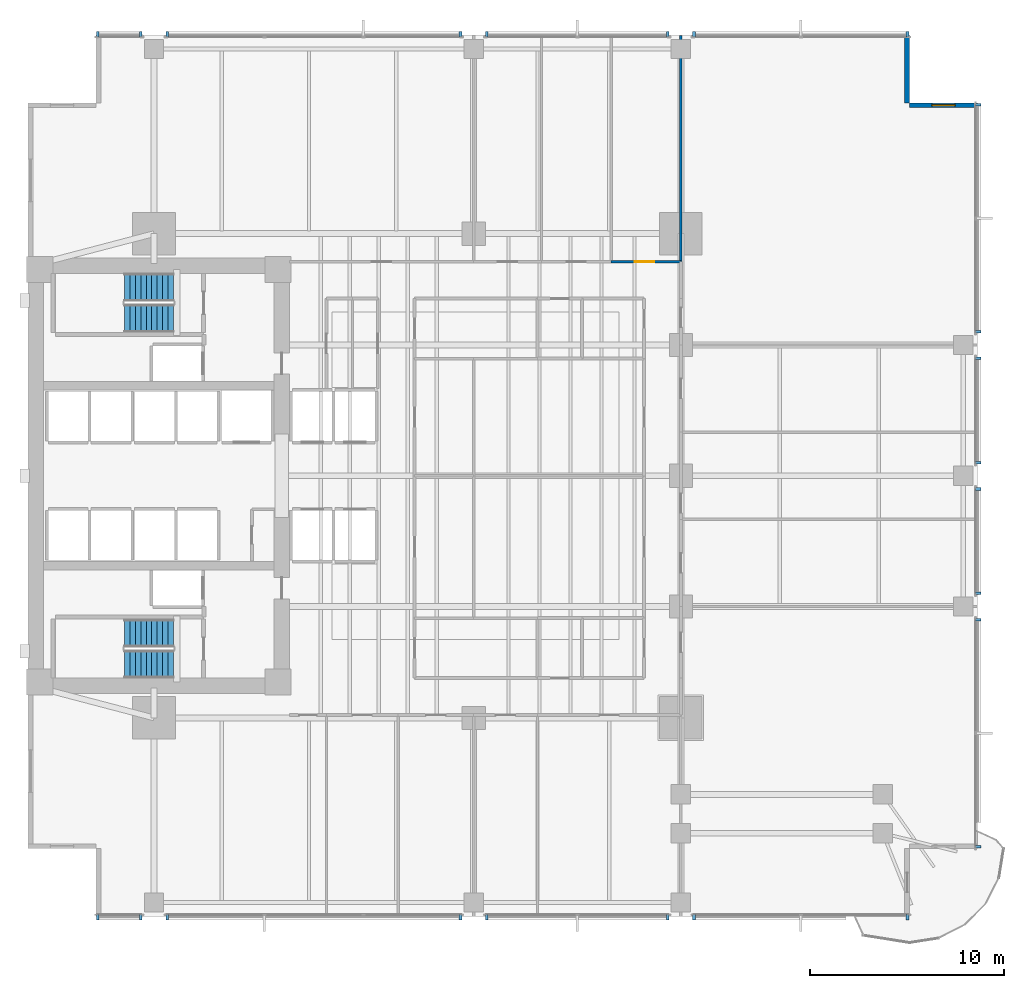
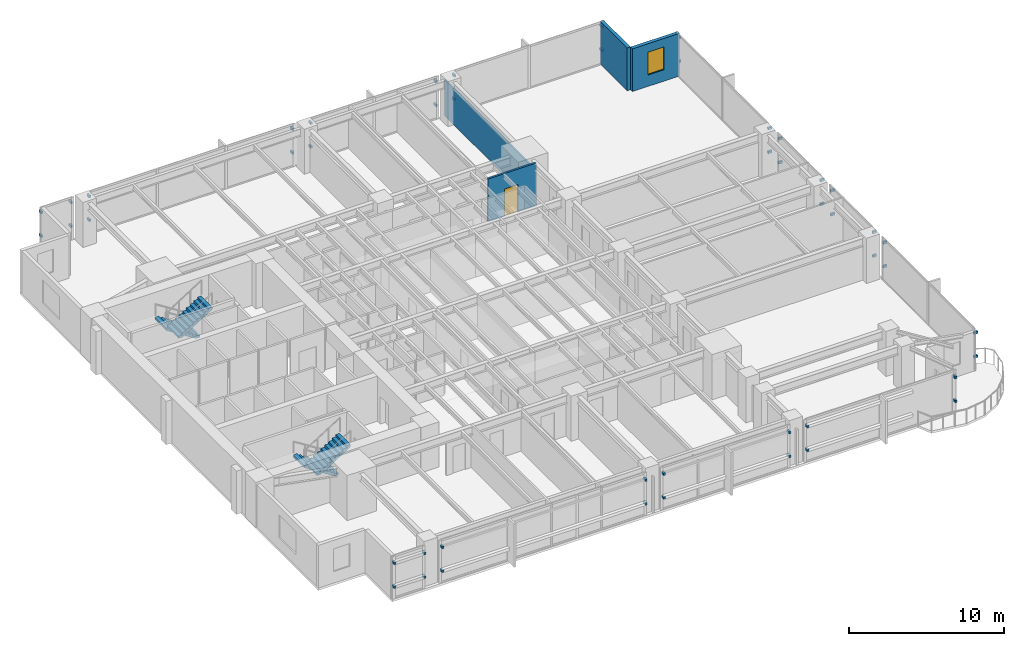
# One storey, part 11 of 15: 48 discrete accessories, 4 stair flights, 4 walls, 1 door, 1 window, 2 openings, 2 elements without a shape of their own.
"""IFC4 building model written with IfcOpenShell, lengths in metres."""

from ifc_helpers import new_model, si_unit, direction, frame, frame_2d, origin, origin_2d, place, context, subcontext, project, spatial, polyline, rectangle, outline, extrude, material, layer, layer_set, type_object, element, fill, aggregate, save


model = new_model("IFC4")

# Units and contexts
model_context = context("Model", 3, precision=1e-05, world=origin(), true_north=direction((0.0, 1.0)))
body_context = subcontext(model_context, "Body", "Model", "MODEL_VIEW")
ifc_project = project(units=[si_unit("LENGTHUNIT", "METRE"), si_unit("AREAUNIT", "SQUARE_METRE"), si_unit("VOLUMEUNIT", "CUBIC_METRE"), si_unit("PLANEANGLEUNIT", "RADIAN"), si_unit("MASSUNIT", "GRAM", prefix="KILO")], contexts=[model_context])

# Site, building, storey
site_placement = place(None, origin())
site = spatial("IfcSite", under=ifc_project, at=site_placement, CompositionType="ELEMENT")
building_placement = place(site_placement, origin())
building = spatial("IfcBuilding", under=site, at=building_placement, Name="Kinhvarn Gate Tower", CompositionType="ELEMENT")
storey_placement = place(building_placement, frame((0.0, 0.0, 78.85009765625)))
storey = spatial("IfcBuildingStorey", under=building, at=storey_placement, Name="L20", CompositionType="ELEMENT", Elevation=78.85009765625)

# Wall, opening, window
ifc_material_1 = material(Name="Fired architectural terracotta", Category="masonry")
ifc_layer_1 = layer(ifc_material_1, 0.25)
ifc_layer_set_1 = layer_set([ifc_layer_1], Name="Fired architectural terracotta")
wall_type_1 = type_object("IfcWallType", Name="WL-EXT-250", PredefinedType="SOLIDWALL", material=ifc_layer_set_1)
wall_1_placement = place(storey_placement, frame((53.5, 44.375, 0.0), z_axis=(0.0, 0.0, 1.0), x_axis=(-1.0, 0.0, 0.0)))
wall_1 = element("IfcWall", 1, at=wall_1_placement, inside=storey, type_object=wall_type_1, Name="Exterior Solidwall Wall EW-250 (L20 NE-Notch-1)", PredefinedType="SOLIDWALL", context=body_context, shape_type="SweptSolid", body=[
    extrude(rectangle(XDim=3.5, YDim=0.25, at=frame_2d((1.75, 0.0))), origin(), (0.0, 0.0, 1.0), 3.369873046875),
])
opening_1_placement = place(wall_1_placement, frame((1.14990234375, 0.0, 0.89990234375)))
opening_1 = element("IfcOpeningElement", 2, at=opening_1_placement, cuts=wall_1, Name="Opening WN-02", PredefinedType="OPENING", context=body_context, shape_type="SweptSolid", body=[
    extrude(rectangle(XDim=1.199951171875, YDim=1.800048828125, at=frame_2d((0.60009765625, 0.89990234375))), frame((0.0, 0.135009765625, 0.0), z_axis=(0.0, -1.0, 0.0), x_axis=(1.0, 0.0, 0.0)), (0.0, 0.0, 1.0), 0.27001953125),
])
ifc_material_2 = material(Name="Clear low-e double glazing", Category="glass")
window_type = type_object("IfcWindowType", Name="WIN-NTC-1200", PartitioningType="SINGLE_PANEL", PredefinedType="WINDOW", material=ifc_material_2)
window_placement = place(opening_1_placement, origin())
window = element("IfcWindow", 3, at=window_placement, inside=storey, type_object=window_type, Name="Recessed Corner Notch Punched Window 1200x1800 mm (L20)", OverallHeight=1.800048828125, OverallWidth=1.199951171875, PartitioningType="SINGLE_PANEL", PredefinedType="WINDOW", context=body_context, shape_type="SweptSolid", body=[
    extrude(rectangle(XDim=1.199951171875, YDim=1.800048828125, at=frame_2d((0.60009765625, 0.89990234375))), frame((0.0, 0.030029296875, 0.0), z_axis=(0.0, -1.0, 0.0), x_axis=(1.0, 0.0, 0.0)), (0.0, 0.0, 1.0), 0.06005859375),
])
fill(opening_1, window)

# Walls
wall_2_placement = place(storey_placement, frame((49.875, 44.5, 0.0), z_axis=(0.0, 0.0, 1.0), x_axis=(0.0, 1.0, 0.0)))
element("IfcWall", 4, at=wall_2_placement, inside=storey, type_object=wall_type_1, Name="Exterior Solidwall Wall EW-250 (L20 NE-Notch-2)", PredefinedType="SOLIDWALL", context=body_context, shape_type="SweptSolid", body=[
    extrude(rectangle(XDim=3.5, YDim=0.25, at=frame_2d((1.75, 0.0))), origin(), (0.0, 0.0, 1.0), 3.369873046875),
])
ifc_material_3 = material(Name="Gypsum acoustic partition board")
ifc_layer_2 = layer(ifc_material_3, 0.1201171875)
ifc_layer_set_2 = layer_set([ifc_layer_2], Name="Gypsum acoustic partition board")
wall_type_2 = type_object("IfcWallType", Name="WL-PRT-120", PredefinedType="PARTITIONING", material=ifc_layer_set_2)
wall_3_placement = place(storey_placement, frame((38.199951171875, 36.300048828125, 0.0), z_axis=(0.0, 0.0, 1.0), x_axis=(0.0, 1.0, 0.0)))
element("IfcWall", 5, at=wall_3_placement, inside=storey, type_object=wall_type_2, Name="Interior Partition PW-120 (L20)", PredefinedType="PARTITIONING", context=body_context, shape_type="SweptSolid", body=[
    extrude(rectangle(XDim=11.68994140625, YDim=0.1201171875, at=frame_2d((5.844970703125, 0.0))), origin(), (0.0, 0.0, 1.0), 2.81982421875),
])

# Wall, opening, door
ifc_layer_3 = layer(ifc_material_3, 0.14990234375)
ifc_layer_set_3 = layer_set([ifc_layer_3], Name="Gypsum acoustic partition board")
wall_type_3 = type_object("IfcWallType", Name="WL-PRT-150F", PredefinedType="PARTITIONING", material=ifc_layer_set_3)
wall_4_placement = place(storey_placement, frame((34.60009765625, 36.300048828125, 0.0), z_axis=(0.0, 0.0, 1.0), x_axis=(1.0, 0.0, 0.0)))
wall_4 = element("IfcWall", 6, at=wall_4_placement, inside=storey, type_object=wall_type_3, Name="Interior Partition PW-150F (L20)", PredefinedType="PARTITIONING", context=body_context, shape_type="SweptSolid", body=[
    extrude(rectangle(XDim=3.599853515625, YDim=0.14990234375, at=frame_2d((1.7998046875, 0.0))), origin(), (0.0, 0.0, 1.0), 3.369873046875),
])
opening_2_placement = place(wall_4_placement, frame((1.22509765625, 0.0, 0.0)))
opening_2 = element("IfcOpeningElement", 7, at=opening_2_placement, cuts=wall_4, Name="Opening ID-02", PredefinedType="OPENING", context=body_context, shape_type="SweptSolid", body=[
    extrude(rectangle(XDim=1.0, YDim=2.14990234375, at=frame_2d((0.5, 1.074951171875))), frame((0.0, 0.0849609375, 0.0), z_axis=(0.0, -1.0, 0.0), x_axis=(1.0, 0.0, 0.0)), (0.0, 0.0, 1.0), 0.169921875),
])
ifc_material_4 = material(Name="Anodised aluminium AW-6063", Category="aluminium")
door_type = type_object("IfcDoorType", Name="DR-INT-1000", OperationType="NOTDEFINED", PredefinedType="DOOR", material=ifc_material_4)
door_placement = place(opening_2_placement, origin())
door = element("IfcDoor", 8, at=door_placement, inside=storey, type_object=door_type, Name="Standard Office & Meeting Room Door 1000x2150 mm (L20)", OperationType="SINGLE_SWING_LEFT", OverallHeight=2.14990234375, OverallWidth=1.0, PredefinedType="DOOR", context=body_context, shape_type="SweptSolid", body=[
    extrude(rectangle(XDim=1.0, YDim=2.14990234375, at=frame_2d((0.5, 1.074951171875))), frame((0.0, 0.02490234375, 0.0), z_axis=(0.0, -1.0, 0.0), x_axis=(1.0, 0.0, 0.0)), (0.0, 0.0, 1.0), 0.050048828125),
])
fill(opening_2, door)

# Stair, stair flights
ifc_material_5 = material(Name="Concrete C40/50", Category="concrete")
stair_type = type_object("IfcStairType", Name="STR-DLG-178", PredefinedType="HALF_TURN_STAIR", material=ifc_material_5)
stair_1_placement = place(storey_placement, origin())
stair_1 = element("IfcStair", 9, at=stair_1_placement, inside=storey, type_object=stair_type, Name="L20 Core Smokeproof Exit Stair ST1", PredefinedType="HALF_TURN_STAIR")
stair_flight_type = type_object("IfcStairFlightType", Name="STF-DLG-178", PredefinedType="STRAIGHT", material=ifc_material_5)
stair_flight_1_placement = place(storey_placement, frame((12.0, 17.125, 0.0), z_axis=(0.0, 0.0, 1.0), x_axis=(-1.0, 0.0, 0.0)))
stair_flight_1 = element("IfcStairFlight", 10, at=stair_flight_1_placement, type_object=stair_flight_type, Name="ST1 flight 1", NumberOfRisers=10, NumberOfTreads=9, PredefinedType="STRAIGHT", RiserHeight=0.1775, TreadLength=0.28, context=body_context, shape_type="SweptSolid", body=[
    extrude(outline(polyline([(0.0, 0.0), (0.0, 0.177490234375), (0.280029296875, 0.177490234375), (0.280029296875, 0.35498046875), (0.56005859375, 0.35498046875), (0.56005859375, 0.532470703125), (0.840087890625, 0.532470703125), (0.840087890625, 0.7099609375), (1.1201171875, 0.7099609375), (1.1201171875, 0.887451171875), (1.39990234375, 0.887451171875), (1.39990234375, 1.06494140625), (1.679931640625, 1.06494140625), (1.679931640625, 1.242431640625), (1.9599609375, 1.242431640625), (1.9599609375, 1.419921875), (2.239990234375, 1.419921875), (2.239990234375, 1.597412109375), (2.52001953125, 1.597412109375), (2.52001953125, 1.77490234375), (2.52001953125, 1.419921875), (0.280029296875, 0.0), (0.0, 0.0)])), frame((0.0, 0.72509765625, 0.0), z_axis=(0.0, -1.0, 0.0), x_axis=(1.0, 0.0, 0.0)), (0.0, 0.0, 1.0), 1.449951171875),
])
stair_flight_2_placement = place(storey_placement, frame((9.47998046875, 15.52490234375, 1.77490234375), z_axis=(0.0, 0.0, 1.0), x_axis=(1.0, 0.0, 0.0)))
stair_flight_2 = element("IfcStairFlight", 11, at=stair_flight_2_placement, type_object=stair_flight_type, Name="ST1 flight 2", NumberOfRisers=10, NumberOfTreads=9, PredefinedType="STRAIGHT", RiserHeight=0.1775, TreadLength=0.28, context=body_context, shape_type="SweptSolid", body=[
    extrude(outline(polyline([(0.0, 0.0), (0.0, 0.177490234375), (0.280029296875, 0.177490234375), (0.280029296875, 0.35498046875), (0.56005859375, 0.35498046875), (0.56005859375, 0.532470703125), (0.840087890625, 0.532470703125), (0.840087890625, 0.7099609375), (1.1201171875, 0.7099609375), (1.1201171875, 0.887451171875), (1.39990234375, 0.887451171875), (1.39990234375, 1.06494140625), (1.679931640625, 1.06494140625), (1.679931640625, 1.242431640625), (1.9599609375, 1.242431640625), (1.9599609375, 1.419921875), (2.239990234375, 1.419921875), (2.239990234375, 1.597412109375), (2.52001953125, 1.597412109375), (2.52001953125, 1.77490234375), (2.52001953125, 1.419921875), (0.280029296875, 0.0), (0.0, 0.0)])), frame((0.0, 0.72509765625, 0.0), z_axis=(0.0, -1.0, 0.0), x_axis=(1.0, 0.0, 0.0)), (0.0, 0.0, 1.0), 1.449951171875),
])
aggregate(stair_1, [stair_flight_1, stair_flight_2])

stair_2_placement = place(storey_placement, origin())
stair_2 = element("IfcStair", 12, at=stair_2_placement, inside=storey, type_object=stair_type, Name="L20 Core Smokeproof Exit Stair ST2", PredefinedType="HALF_TURN_STAIR")
stair_flight_3_placement = place(storey_placement, frame((12.0, 34.97509765625, 0.0), z_axis=(0.0, 0.0, 1.0), x_axis=(-1.0, 0.0, 0.0)))
stair_flight_3 = element("IfcStairFlight", 13, at=stair_flight_3_placement, type_object=stair_flight_type, Name="ST2 flight 1", NumberOfRisers=10, NumberOfTreads=9, PredefinedType="STRAIGHT", RiserHeight=0.1775, TreadLength=0.28, context=body_context, shape_type="SweptSolid", body=[
    extrude(outline(polyline([(0.0, 0.0), (0.0, 0.177490234375), (0.280029296875, 0.177490234375), (0.280029296875, 0.35498046875), (0.56005859375, 0.35498046875), (0.56005859375, 0.532470703125), (0.840087890625, 0.532470703125), (0.840087890625, 0.7099609375), (1.1201171875, 0.7099609375), (1.1201171875, 0.887451171875), (1.39990234375, 0.887451171875), (1.39990234375, 1.06494140625), (1.679931640625, 1.06494140625), (1.679931640625, 1.242431640625), (1.9599609375, 1.242431640625), (1.9599609375, 1.419921875), (2.239990234375, 1.419921875), (2.239990234375, 1.597412109375), (2.52001953125, 1.597412109375), (2.52001953125, 1.77490234375), (2.52001953125, 1.419921875), (0.280029296875, 0.0), (0.0, 0.0)])), frame((0.0, 0.72509765625, 0.0), z_axis=(0.0, -1.0, 0.0), x_axis=(1.0, 0.0, 0.0)), (0.0, 0.0, 1.0), 1.449951171875),
])
stair_flight_4_placement = place(storey_placement, frame((9.47998046875, 33.375, 1.77490234375), z_axis=(0.0, 0.0, 1.0), x_axis=(1.0, 0.0, 0.0)))
stair_flight_4 = element("IfcStairFlight", 14, at=stair_flight_4_placement, type_object=stair_flight_type, Name="ST2 flight 2", NumberOfRisers=10, NumberOfTreads=9, PredefinedType="STRAIGHT", RiserHeight=0.1775, TreadLength=0.28, context=body_context, shape_type="SweptSolid", body=[
    extrude(outline(polyline([(0.0, 0.0), (0.0, 0.177490234375), (0.280029296875, 0.177490234375), (0.280029296875, 0.35498046875), (0.56005859375, 0.35498046875), (0.56005859375, 0.532470703125), (0.840087890625, 0.532470703125), (0.840087890625, 0.7099609375), (1.1201171875, 0.7099609375), (1.1201171875, 0.887451171875), (1.39990234375, 0.887451171875), (1.39990234375, 1.06494140625), (1.679931640625, 1.06494140625), (1.679931640625, 1.242431640625), (1.9599609375, 1.242431640625), (1.9599609375, 1.419921875), (2.239990234375, 1.419921875), (2.239990234375, 1.597412109375), (2.52001953125, 1.597412109375), (2.52001953125, 1.77490234375), (2.52001953125, 1.419921875), (0.280029296875, 0.0), (0.0, 0.0)])), frame((0.0, 0.72509765625, 0.0), z_axis=(0.0, -1.0, 0.0), x_axis=(1.0, 0.0, 0.0)), (0.0, 0.0, 1.0), 1.449951171875),
])
aggregate(stair_2, [stair_flight_3, stair_flight_4])

# Discrete accessories
discrete_accessory_type = type_object("IfcDiscreteAccessoryType", Name="ACC-BRK-01", PredefinedType="BRACKET", material=ifc_material_4)
for number, where, z_axis, x_axis, name in (
    (15, (8.10009765625, 2.4599609375, 0.9599609375), (0.0, 0.0, 1.0), (1.0, 0.0, 0.0), "Baguette Support Bracket BK-01 (L20)"),
    (16, (8.10009765625, 2.4599609375, 2.830078125), (0.0, 0.0, 1.0), (1.0, 0.0, 0.0), "Baguette Support Bracket BK-01 (L20)"),
    (17, (10.320068359375, 2.4599609375, 0.9599609375), (0.0, 0.0, 1.0), (1.0, 0.0, 0.0), "Baguette Support Bracket BK-01 (L20)"),
    (18, (10.320068359375, 2.4599609375, 2.830078125), (0.0, 0.0, 1.0), (1.0, 0.0, 0.0), "Baguette Support Bracket BK-01 (L20)"),
    (19, (11.679931640625, 2.4599609375, 0.9599609375), (0.0, 0.0, 1.0), (1.0, 0.0, 0.0), "Baguette Support Bracket BK-01 (L20)"),
    (20, (11.679931640625, 2.4599609375, 2.830078125), (0.0, 0.0, 1.0), (1.0, 0.0, 0.0), "Baguette Support Bracket BK-01 (L20)"),
    (21, (26.820068359375, 2.4599609375, 0.9599609375), (0.0, 0.0, 1.0), (1.0, 0.0, 0.0), "Baguette Support Bracket BK-01 (L20)"),
    (22, (26.820068359375, 2.4599609375, 2.830078125), (0.0, 0.0, 1.0), (1.0, 0.0, 0.0), "Baguette Support Bracket BK-01 (L20)"),
    (23, (28.179931640625, 2.4599609375, 0.9599609375), (0.0, 0.0, 1.0), (1.0, 0.0, 0.0), "Baguette Support Bracket BK-01 (L20)"),
    (24, (28.179931640625, 2.4599609375, 2.830078125), (0.0, 0.0, 1.0), (1.0, 0.0, 0.0), "Baguette Support Bracket BK-01 (L20)"),
    (25, (37.52001953125, 2.4599609375, 0.9599609375), (0.0, 0.0, 1.0), (1.0, 0.0, 0.0), "Baguette Support Bracket BK-01 (L20)"),
    (26, (37.52001953125, 2.4599609375, 2.830078125), (0.0, 0.0, 1.0), (1.0, 0.0, 0.0), "Baguette Support Bracket BK-01 (L20)"),
    (27, (38.8798828125, 2.4599609375, 0.9599609375), (0.0, 0.0, 1.0), (1.0, 0.0, 0.0), "Baguette Support Bracket BK-01 (L20)"),
    (28, (38.8798828125, 2.4599609375, 2.830078125), (0.0, 0.0, 1.0), (1.0, 0.0, 0.0), "Baguette Support Bracket BK-01 (L20)"),
    (29, (49.89990234375, 2.4599609375, 0.9599609375), (0.0, 0.0, 1.0), (1.0, 0.0, 0.0), "Baguette Support Bracket BK-01 (L20)"),
    (30, (49.89990234375, 2.4599609375, 2.830078125), (0.0, 0.0, 1.0), (1.0, 0.0, 0.0), "Baguette Support Bracket BK-01 (L20)"),
    (31, (49.89990234375, 48.0400390625, 0.9599609375), (0.0, 0.0, 1.0), (-1.0, 0.0, 0.0), "Baguette Support Bracket BK-01 (L20)"),
    (32, (49.89990234375, 48.0400390625, 2.830078125), (0.0, 0.0, 1.0), (-1.0, 0.0, 0.0), "Baguette Support Bracket BK-01 (L20)"),
    (33, (38.8798828125, 48.0400390625, 0.9599609375), (0.0, 0.0, 1.0), (-1.0, 0.0, 0.0), "Baguette Support Bracket BK-01 (L20)"),
    (34, (38.8798828125, 48.0400390625, 2.830078125), (0.0, 0.0, 1.0), (-1.0, 0.0, 0.0), "Baguette Support Bracket BK-01 (L20)"),
    (35, (37.52001953125, 48.0400390625, 0.9599609375), (0.0, 0.0, 1.0), (-1.0, 0.0, 0.0), "Baguette Support Bracket BK-01 (L20)"),
    (36, (37.52001953125, 48.0400390625, 2.830078125), (0.0, 0.0, 1.0), (-1.0, 0.0, 0.0), "Baguette Support Bracket BK-01 (L20)"),
    (37, (28.179931640625, 48.0400390625, 0.9599609375), (0.0, 0.0, 1.0), (-1.0, 0.0, 0.0), "Baguette Support Bracket BK-01 (L20)"),
    (38, (28.179931640625, 48.0400390625, 2.830078125), (0.0, 0.0, 1.0), (-1.0, 0.0, 0.0), "Baguette Support Bracket BK-01 (L20)"),
    (39, (26.820068359375, 48.0400390625, 0.9599609375), (0.0, 0.0, 1.0), (-1.0, 0.0, 0.0), "Baguette Support Bracket BK-01 (L20)"),
    (40, (26.820068359375, 48.0400390625, 2.830078125), (0.0, 0.0, 1.0), (-1.0, 0.0, 0.0), "Baguette Support Bracket BK-01 (L20)"),
    (41, (11.679931640625, 48.0400390625, 0.9599609375), (0.0, 0.0, 1.0), (-1.0, 0.0, 0.0), "Baguette Support Bracket BK-01 (L20)"),
    (42, (11.679931640625, 48.0400390625, 2.830078125), (0.0, 0.0, 1.0), (-1.0, 0.0, 0.0), "Baguette Support Bracket BK-01 (L20)"),
    (43, (10.320068359375, 48.0400390625, 0.9599609375), (0.0, 0.0, 1.0), (-1.0, 0.0, 0.0), "Baguette Support Bracket BK-01 (L20)"),
    (44, (10.320068359375, 48.0400390625, 2.830078125), (0.0, 0.0, 1.0), (-1.0, 0.0, 0.0), "Baguette Support Bracket BK-01 (L20)"),
    (45, (8.10009765625, 48.0400390625, 0.9599609375), (0.0, 0.0, 1.0), (-1.0, 0.0, 0.0), "Baguette Support Bracket BK-01 (L20)"),
    (46, (8.10009765625, 48.0400390625, 2.830078125), (0.0, 0.0, 1.0), (-1.0, 0.0, 0.0), "Baguette Support Bracket BK-01 (L20)"),
    (47, (53.5400390625, 6.10009765625, 0.9599609375), (0.0, 0.0, 1.0), (0.0, 1.0, 0.0), "Baguette Support Bracket BK-01 (L20)"),
    (48, (53.5400390625, 6.10009765625, 2.830078125), (0.0, 0.0, 1.0), (0.0, 1.0, 0.0), "Baguette Support Bracket BK-01 (L20)"),
    (49, (53.5400390625, 17.820068359375, 0.9599609375), (0.0, 0.0, 1.0), (0.0, 1.0, 0.0), "Baguette Support Bracket BK-01 (L20)"),
    (50, (53.5400390625, 17.820068359375, 2.830078125), (0.0, 0.0, 1.0), (0.0, 1.0, 0.0), "Baguette Support Bracket BK-01 (L20)"),
    (51, (53.5400390625, 19.179931640625, 0.9599609375), (0.0, 0.0, 1.0), (0.0, 1.0, 0.0), "Baguette Support Bracket BK-01 (L20)"),
    (52, (53.5400390625, 19.179931640625, 2.830078125), (0.0, 0.0, 1.0), (0.0, 1.0, 0.0), "Baguette Support Bracket BK-01 (L20)"),
    (53, (53.5400390625, 24.570068359375, 0.9599609375), (0.0, 0.0, 1.0), (0.0, 1.0, 0.0), "Baguette Support Bracket BK-01 (L20)"),
    (54, (53.5400390625, 24.570068359375, 2.830078125), (0.0, 0.0, 1.0), (0.0, 1.0, 0.0), "Baguette Support Bracket BK-01 (L20)"),
    (55, (53.5400390625, 25.929931640625, 0.9599609375), (0.0, 0.0, 1.0), (0.0, 1.0, 0.0), "Baguette Support Bracket BK-01 (L20)"),
    (56, (53.5400390625, 25.929931640625, 2.830078125), (0.0, 0.0, 1.0), (0.0, 1.0, 0.0), "Baguette Support Bracket BK-01 (L20)"),
    (57, (53.5400390625, 31.320068359375, 0.9599609375), (0.0, 0.0, 1.0), (0.0, 1.0, 0.0), "Baguette Support Bracket BK-01 (L20)"),
    (58, (53.5400390625, 31.320068359375, 2.830078125), (0.0, 0.0, 1.0), (0.0, 1.0, 0.0), "Baguette Support Bracket BK-01 (L20)"),
    (59, (53.5400390625, 32.679931640625, 0.9599609375), (0.0, 0.0, 1.0), (0.0, 1.0, 0.0), "Baguette Support Bracket BK-01 (L20)"),
    (60, (53.5400390625, 32.679931640625, 2.830078125), (0.0, 0.0, 1.0), (0.0, 1.0, 0.0), "Baguette Support Bracket BK-01 (L20)"),
    (61, (53.5400390625, 44.39990234375, 0.9599609375), (0.0, 0.0, 1.0), (0.0, 1.0, 0.0), "Baguette Support Bracket BK-01 (L20)"),
    (62, (53.5400390625, 44.39990234375, 2.830078125), (0.0, 0.0, 1.0), (0.0, 1.0, 0.0), "Baguette Support Bracket BK-01 (L20)"),
):
    element("IfcDiscreteAccessory", number, at=place(storey_placement, frame(where, z_axis=z_axis, x_axis=x_axis)), inside=storey, type_object=discrete_accessory_type, Name=name, PredefinedType="BRACKET", context=body_context, shape_type="SweptSolid", body=[
        extrude(rectangle(XDim=0.139892578125, YDim=0.280029296875, at=origin_2d()), origin(), (0.0, 0.0, 1.0), 0.179931640625),
    ])

save(model, "model.ifc")
